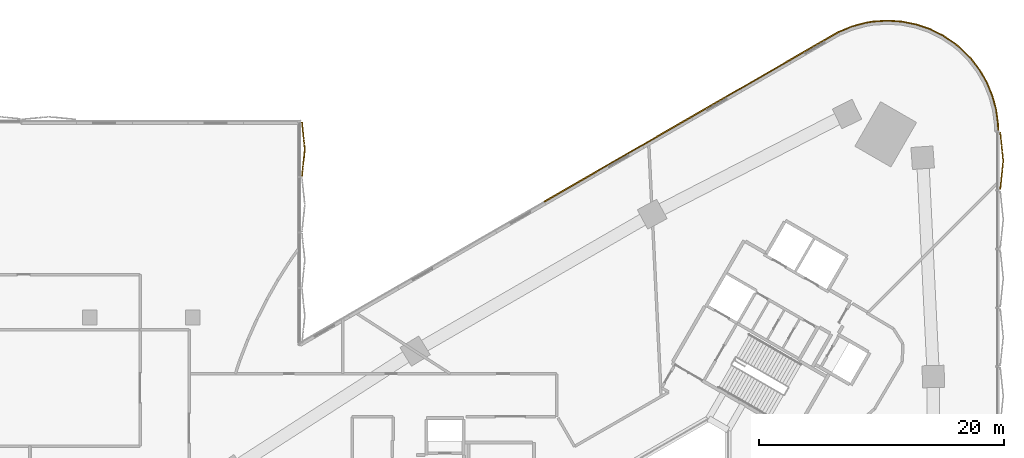
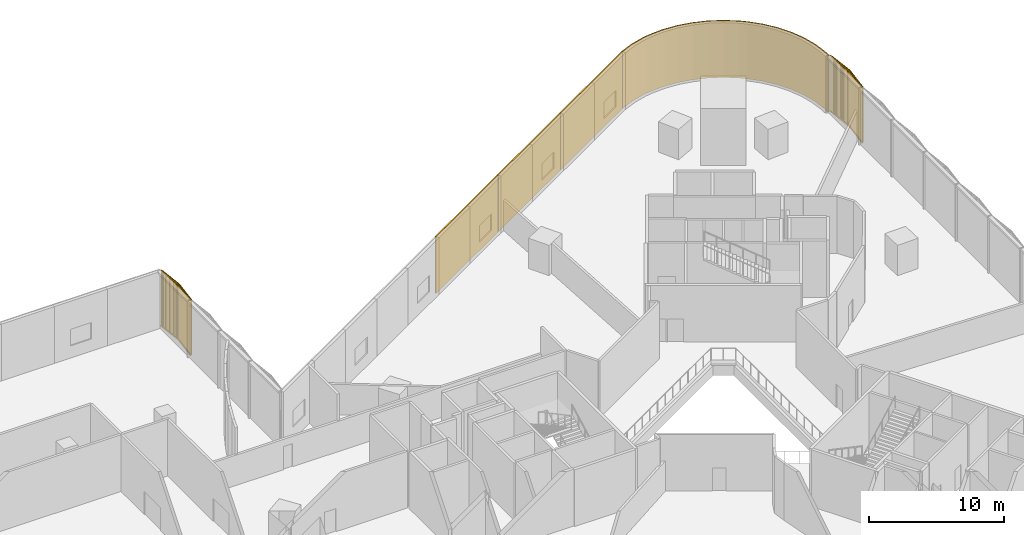
# One storey, part 31 of 31: 6 coverings.
"""IFC4 building model written with IfcOpenShell, lengths in metres."""

from ifc_helpers import new_model, si_unit, direction, frame, frame_2d, origin, origin_2d, place, context, subcontext, project, spatial, polyline, rectangle, outline, extrude, source, transform, mapped, material, layer, layer_set, type_object, element, save


model = new_model("IFC4")

# Units and contexts
model_context = context("Model", 3, precision=1e-05, world=origin(), true_north=direction((0.0, 1.0)))
body_context = subcontext(model_context, "Body", "Model", "MODEL_VIEW")
ifc_project = project(units=[si_unit("LENGTHUNIT", "METRE"), si_unit("AREAUNIT", "SQUARE_METRE"), si_unit("VOLUMEUNIT", "CUBIC_METRE"), si_unit("PLANEANGLEUNIT", "RADIAN"), si_unit("MASSUNIT", "GRAM", prefix="KILO")], contexts=[model_context])

# Site, building, storey
site_placement = place(None, origin())
site = spatial("IfcSite", under=ifc_project, at=site_placement, CompositionType="ELEMENT")
building_placement = place(site_placement, origin())
building = spatial("IfcBuilding", under=site, at=building_placement, Name="Tamra Quay Hotel Tower", CompositionType="ELEMENT")
storey_placement = place(building_placement, frame((0.0, 0.0, 14.0)))
storey = spatial("IfcBuildingStorey", under=building, at=storey_placement, Name="L02", CompositionType="ELEMENT", Elevation=14.0)

# Coverings
ifc_material_1 = material(Name="Precast concrete M60 terracotta-coloured pierced relief", Category="masonry")
ifc_layer = layer(ifc_material_1, 0.10009765625)
ifc_layer_set = layer_set([ifc_layer], Name="PIERCED RELIEF PANEL 100")
covering_type_1 = type_object("IfcCoveringType", Name="PIERCED RELIEF PANEL 100", PredefinedType="CLADDING", material=ifc_layer_set)
covering_1_placement = place(storey_placement, origin())
element("IfcCovering", 1, at=covering_1_placement, inside=storey, type_object=covering_type_1, Name="Relief panel L02.c2", PredefinedType="CLADDING", context=body_context, shape_type="SweptSolid", body=[
    extrude(outline(polyline([(27.0, 31.177001953125), (26.980712890625, 31.765625), (26.8271484375, 32.9326171875), (26.5224609375, 34.06982421875), (26.07177734375, 35.157470703125), (25.483154296875, 36.177001953125), (24.7666015625, 37.111083984375), (23.93408203125, 37.943359375), (23.478759765625, 38.317138671875), (22.5, 38.97119140625), (21.444091796875, 39.491943359375), (20.329345703125, 39.870361328125), (19.1748046875, 40.099853515625), (18.0, 40.177001953125), (16.8251953125, 40.099853515625), (16.244140625, 40.00390625), (15.10693359375, 39.69921875), (14.019287109375, 39.248779296875), (13.981201171875, 39.341064453125), (15.074951171875, 39.7939453125), (16.22314453125, 40.101806640625), (16.813720703125, 40.19921875), (18.0, 40.27685546875), (19.187744140625, 40.198974609375), (20.355224609375, 39.966796875), (21.482421875, 39.584228515625), (22.550048828125, 39.057861328125), (23.538330078125, 38.3974609375), (24.001220703125, 38.017578125), (24.841796875, 37.177001953125), (25.56640625, 36.232666015625), (26.16162109375, 35.20166015625), (26.616943359375, 34.10205078125), (26.925048828125, 32.9521484375), (27.080322265625, 31.773681640625), (27.099853515625, 31.18017578125), (27.0, 31.177001953125)])), origin(), (0.0, 0.0, 1.0), 5.14990234375),
])
for number, where, z_axis, x_axis, name in (
    (2, (9.99267578125, 36.983642578125, 0.0), (0.0, 0.0, 1.0), (-0.866214936261, -0.499671576337, 0.0), "Relief panel L02.NW.00"),
    (3, (1.989013671875, 32.366943359375, 0.0), (0.0, 0.0, 1.0), (-0.866214936261, -0.499671576337, 0.0), "Relief panel L02.NW.02"),
    (4, (-6.014404296875, 27.75, 0.0), (0.0, 0.0, 1.0), (-0.866214936261, -0.499671576337, 0.0), "Relief panel L02.NW.04"),
):
    element("IfcCovering", number, at=place(storey_placement, frame(where, z_axis=z_axis, x_axis=x_axis)), inside=storey, type_object=covering_type_1, Name=name, PredefinedType="CLADDING", context=body_context, shape_type="SweptSolid", body=[
        extrude(rectangle(XDim=9.2197265625, YDim=0.10009765625, at=origin_2d()), origin(), (0.0, 0.0, 1.0), 5.14990234375),
    ])
ifc_material_2 = material(Name="Terracotta baguette extruded", Category="masonry")
covering_type_2 = type_object("IfcCoveringType", Name="BAGUETTE SCREEN PODIUM-SHALLOW H5150", PredefinedType="USERDEFINED", material=ifc_material_2)
shared_shape_1 = source(origin(), body_context, "Body", "SweptSolid", [
    extrude(rectangle(XDim=2.234619140625, YDim=0.06005859375, at=frame_2d((1.1171875, 0.030029296875))), frame((-2.228759765625, -0.0576171875, -0.1201171875), z_axis=(0.0, 0.0, 1.0), x_axis=(0.994521895368, -0.104528463268, 0.0)), (0.0, 0.0, 1.0), 0.1201171875),
    extrude(rectangle(XDim=2.234619140625, YDim=0.06005859375, at=frame_2d((1.1171875, 0.030029296875))), frame((-2.228759765625, -0.0576171875, -5.14990234375), z_axis=(0.0, 0.0, 1.0), x_axis=(0.994521895368, -0.104528463268, 0.0)), (0.0, 0.0, 1.0), 0.1201171875),
    extrude(rectangle(XDim=0.094970703125, YDim=0.10009765625, at=frame_2d((0.04736328125, 0.050048828125))), frame((-2.219482421875, -0.13330078125, -5.090087890625)), (0.0, 0.0, 1.0), 5.030029296875),
    extrude(rectangle(XDim=0.094970703125, YDim=0.10009765625, at=frame_2d((0.04736328125, 0.050048828125))), frame((-2.118408203125, -0.14404296875, -5.090087890625)), (0.0, 0.0, 1.0), 5.030029296875),
    extrude(rectangle(XDim=0.094970703125, YDim=0.10009765625, at=frame_2d((0.04736328125, 0.050048828125))), frame((-2.017333984375, -0.154541015625, -5.090087890625)), (0.0, 0.0, 1.0), 5.030029296875),
    extrude(rectangle(XDim=0.094970703125, YDim=0.10009765625, at=frame_2d((0.04736328125, 0.050048828125))), frame((-1.91650390625, -0.1650390625, -5.090087890625)), (0.0, 0.0, 1.0), 5.030029296875),
    extrude(rectangle(XDim=0.094970703125, YDim=0.10009765625, at=frame_2d((0.04736328125, 0.050048828125))), frame((-1.8154296875, -0.17578125, -5.090087890625)), (0.0, 0.0, 1.0), 5.030029296875),
    extrude(rectangle(XDim=0.094970703125, YDim=0.10009765625, at=frame_2d((0.04736328125, 0.050048828125))), frame((-1.71435546875, -0.186279296875, -5.090087890625)), (0.0, 0.0, 1.0), 5.030029296875),
    extrude(rectangle(XDim=0.094970703125, YDim=0.10009765625, at=frame_2d((0.04736328125, 0.050048828125))), frame((-1.61328125, -0.197021484375, -5.090087890625)), (0.0, 0.0, 1.0), 5.030029296875),
    extrude(rectangle(XDim=0.094970703125, YDim=0.10009765625, at=frame_2d((0.04736328125, 0.050048828125))), frame((-1.512451171875, -0.20751953125, -5.090087890625)), (0.0, 0.0, 1.0), 5.030029296875),
    extrude(rectangle(XDim=0.094970703125, YDim=0.10009765625, at=frame_2d((0.04736328125, 0.050048828125))), frame((-1.411376953125, -0.21826171875, -5.090087890625)), (0.0, 0.0, 1.0), 5.030029296875),
    extrude(rectangle(XDim=0.094970703125, YDim=0.10009765625, at=frame_2d((0.04736328125, 0.050048828125))), frame((-1.310302734375, -0.228759765625, -5.090087890625)), (0.0, 0.0, 1.0), 5.030029296875),
    extrude(rectangle(XDim=0.094970703125, YDim=0.10009765625, at=frame_2d((0.04736328125, 0.050048828125))), frame((-1.209228515625, -0.239501953125, -5.090087890625)), (0.0, 0.0, 1.0), 5.030029296875),
    extrude(rectangle(XDim=0.094970703125, YDim=0.10009765625, at=frame_2d((0.04736328125, 0.050048828125))), frame((-1.108154296875, -0.25, -5.090087890625)), (0.0, 0.0, 1.0), 5.030029296875),
    extrude(rectangle(XDim=0.094970703125, YDim=0.10009765625, at=frame_2d((0.04736328125, 0.050048828125))), frame((-1.00732421875, -0.2607421875, -5.090087890625)), (0.0, 0.0, 1.0), 5.030029296875),
    extrude(rectangle(XDim=0.094970703125, YDim=0.10009765625, at=frame_2d((0.04736328125, 0.050048828125))), frame((-0.90625, -0.271240234375, -5.090087890625)), (0.0, 0.0, 1.0), 5.030029296875),
    extrude(rectangle(XDim=0.094970703125, YDim=0.10009765625, at=frame_2d((0.04736328125, 0.050048828125))), frame((-0.80517578125, -0.281982421875, -5.090087890625)), (0.0, 0.0, 1.0), 5.030029296875),
    extrude(rectangle(XDim=0.094970703125, YDim=0.10009765625, at=frame_2d((0.04736328125, 0.050048828125))), frame((-0.7041015625, -0.29248046875, -5.090087890625)), (0.0, 0.0, 1.0), 5.030029296875),
    extrude(rectangle(XDim=0.094970703125, YDim=0.10009765625, at=frame_2d((0.04736328125, 0.050048828125))), frame((-0.60302734375, -0.30322265625, -5.090087890625)), (0.0, 0.0, 1.0), 5.030029296875),
    extrude(rectangle(XDim=0.094970703125, YDim=0.10009765625, at=frame_2d((0.04736328125, 0.050048828125))), frame((-0.502197265625, -0.313720703125, -5.090087890625)), (0.0, 0.0, 1.0), 5.030029296875),
    extrude(rectangle(XDim=0.094970703125, YDim=0.10009765625, at=frame_2d((0.04736328125, 0.050048828125))), frame((-0.401123046875, -0.324462890625, -5.090087890625)), (0.0, 0.0, 1.0), 5.030029296875),
    extrude(rectangle(XDim=0.094970703125, YDim=0.10009765625, at=frame_2d((0.04736328125, 0.050048828125))), frame((-0.300048828125, -0.3349609375, -5.090087890625)), (0.0, 0.0, 1.0), 5.030029296875),
    extrude(rectangle(XDim=0.094970703125, YDim=0.10009765625, at=frame_2d((0.04736328125, 0.050048828125))), frame((-0.198974609375, -0.345703125, -5.090087890625)), (0.0, 0.0, 1.0), 5.030029296875),
    extrude(rectangle(XDim=0.094970703125, YDim=0.10009765625, at=frame_2d((0.04736328125, 0.050048828125))), frame((-0.097900390625, -0.356201171875, -5.090087890625)), (0.0, 0.0, 1.0), 5.030029296875),
    extrude(rectangle(XDim=2.234619140625, YDim=0.06005859375, at=frame_2d((1.1171875, 0.030029296875))), frame((0.00634765625, -0.291259765625, -0.1201171875), z_axis=(0.0, 0.0, 1.0), x_axis=(0.994521895368, 0.104528463268, 0.0)), (0.0, 0.0, 1.0), 0.1201171875),
    extrude(rectangle(XDim=2.234619140625, YDim=0.06005859375, at=frame_2d((1.1171875, 0.030029296875))), frame((0.00634765625, -0.291259765625, -5.14990234375), z_axis=(0.0, 0.0, 1.0), x_axis=(0.994521895368, 0.104528463268, 0.0)), (0.0, 0.0, 1.0), 0.1201171875),
    extrude(rectangle(XDim=0.094970703125, YDim=0.10009765625, at=frame_2d((0.04736328125, 0.050048828125))), frame((0.0029296875, -0.356201171875, -5.090087890625)), (0.0, 0.0, 1.0), 5.030029296875),
    extrude(rectangle(XDim=0.094970703125, YDim=0.10009765625, at=frame_2d((0.04736328125, 0.050048828125))), frame((0.10400390625, -0.345703125, -5.090087890625)), (0.0, 0.0, 1.0), 5.030029296875),
    extrude(rectangle(XDim=0.094970703125, YDim=0.10009765625, at=frame_2d((0.04736328125, 0.050048828125))), frame((0.205078125, -0.3349609375, -5.090087890625)), (0.0, 0.0, 1.0), 5.030029296875),
    extrude(rectangle(XDim=0.094970703125, YDim=0.10009765625, at=frame_2d((0.04736328125, 0.050048828125))), frame((0.30615234375, -0.324462890625, -5.090087890625)), (0.0, 0.0, 1.0), 5.030029296875),
    extrude(rectangle(XDim=0.094970703125, YDim=0.10009765625, at=frame_2d((0.04736328125, 0.050048828125))), frame((0.406982421875, -0.313720703125, -5.090087890625)), (0.0, 0.0, 1.0), 5.030029296875),
    extrude(rectangle(XDim=0.094970703125, YDim=0.10009765625, at=frame_2d((0.04736328125, 0.050048828125))), frame((0.508056640625, -0.30322265625, -5.090087890625)), (0.0, 0.0, 1.0), 5.030029296875),
    extrude(rectangle(XDim=0.094970703125, YDim=0.10009765625, at=frame_2d((0.04736328125, 0.050048828125))), frame((0.609130859375, -0.29248046875, -5.090087890625)), (0.0, 0.0, 1.0), 5.030029296875),
    extrude(rectangle(XDim=0.094970703125, YDim=0.10009765625, at=frame_2d((0.04736328125, 0.050048828125))), frame((0.710205078125, -0.281982421875, -5.090087890625)), (0.0, 0.0, 1.0), 5.030029296875),
    extrude(rectangle(XDim=0.094970703125, YDim=0.10009765625, at=frame_2d((0.04736328125, 0.050048828125))), frame((0.811279296875, -0.271240234375, -5.090087890625)), (0.0, 0.0, 1.0), 5.030029296875),
    extrude(rectangle(XDim=0.094970703125, YDim=0.10009765625, at=frame_2d((0.04736328125, 0.050048828125))), frame((0.912109375, -0.2607421875, -5.090087890625)), (0.0, 0.0, 1.0), 5.030029296875),
    extrude(rectangle(XDim=0.094970703125, YDim=0.10009765625, at=frame_2d((0.04736328125, 0.050048828125))), frame((1.01318359375, -0.25, -5.090087890625)), (0.0, 0.0, 1.0), 5.030029296875),
    extrude(rectangle(XDim=0.094970703125, YDim=0.10009765625, at=frame_2d((0.04736328125, 0.050048828125))), frame((1.1142578125, -0.239501953125, -5.090087890625)), (0.0, 0.0, 1.0), 5.030029296875),
    extrude(rectangle(XDim=0.094970703125, YDim=0.10009765625, at=frame_2d((0.04736328125, 0.050048828125))), frame((1.21533203125, -0.228759765625, -5.090087890625)), (0.0, 0.0, 1.0), 5.030029296875),
    extrude(rectangle(XDim=0.094970703125, YDim=0.10009765625, at=frame_2d((0.04736328125, 0.050048828125))), frame((1.31640625, -0.21826171875, -5.090087890625)), (0.0, 0.0, 1.0), 5.030029296875),
    extrude(rectangle(XDim=0.094970703125, YDim=0.10009765625, at=frame_2d((0.04736328125, 0.050048828125))), frame((1.417236328125, -0.20751953125, -5.090087890625)), (0.0, 0.0, 1.0), 5.030029296875),
    extrude(rectangle(XDim=0.094970703125, YDim=0.10009765625, at=frame_2d((0.04736328125, 0.050048828125))), frame((1.518310546875, -0.197021484375, -5.090087890625)), (0.0, 0.0, 1.0), 5.030029296875),
    extrude(rectangle(XDim=0.094970703125, YDim=0.10009765625, at=frame_2d((0.04736328125, 0.050048828125))), frame((1.619384765625, -0.186279296875, -5.090087890625)), (0.0, 0.0, 1.0), 5.030029296875),
    extrude(rectangle(XDim=0.094970703125, YDim=0.10009765625, at=frame_2d((0.04736328125, 0.050048828125))), frame((1.720458984375, -0.17578125, -5.090087890625)), (0.0, 0.0, 1.0), 5.030029296875),
    extrude(rectangle(XDim=0.094970703125, YDim=0.10009765625, at=frame_2d((0.04736328125, 0.050048828125))), frame((1.821533203125, -0.1650390625, -5.090087890625)), (0.0, 0.0, 1.0), 5.030029296875),
    extrude(rectangle(XDim=0.094970703125, YDim=0.10009765625, at=frame_2d((0.04736328125, 0.050048828125))), frame((1.92236328125, -0.154541015625, -5.090087890625)), (0.0, 0.0, 1.0), 5.030029296875),
    extrude(rectangle(XDim=0.094970703125, YDim=0.10009765625, at=frame_2d((0.04736328125, 0.050048828125))), frame((2.0234375, -0.14404296875, -5.090087890625)), (0.0, 0.0, 1.0), 5.030029296875),
    extrude(rectangle(XDim=0.094970703125, YDim=0.10009765625, at=frame_2d((0.04736328125, 0.050048828125))), frame((2.12451171875, -0.13330078125, -5.090087890625)), (0.0, 0.0, 1.0), 5.030029296875),
])
covering_2_placement = place(storey_placement, frame((-29.85205078125, 29.73193359375, 5.14990234375), z_axis=(0.0, 0.0, 1.0), x_axis=(0.0, 1.0, 0.0)))
element("IfcCovering", 5, at=covering_2_placement, inside=storey, type_object=covering_type_2, Name="Baguette screen L02.E.f20", ObjectType="BAGUETTE SCREEN", PredefinedType="USERDEFINED", context=body_context, shape_type="MappedRepresentation", body=[
    mapped(shared_shape_1, transform((0.0, 0.0, 0.0), scale=1.0)),
])
shared_shape_2 = source(origin(), body_context, "Body", "SweptSolid", [
    extrude(rectangle(XDim=2.365478515625, YDim=0.06005859375, at=frame_2d((1.1826171875, 0.030029296875))), frame((-2.35888671875, -0.0576171875, -0.1201171875), z_axis=(0.0, 0.0, 1.0), x_axis=(0.994521895368, -0.104528463268, 0.0)), (0.0, 0.0, 1.0), 0.1201171875),
    extrude(rectangle(XDim=2.365478515625, YDim=0.06005859375, at=frame_2d((1.1826171875, 0.030029296875))), frame((-2.35888671875, -0.0576171875, -5.14990234375), z_axis=(0.0, 0.0, 1.0), x_axis=(0.994521895368, -0.104528463268, 0.0)), (0.0, 0.0, 1.0), 0.1201171875),
    extrude(rectangle(XDim=0.094970703125, YDim=0.10009765625, at=frame_2d((0.04736328125, 0.050048828125))), frame((-2.35107421875, -0.133056640625, -5.090087890625)), (0.0, 0.0, 1.0), 5.030029296875),
    extrude(rectangle(XDim=0.094970703125, YDim=0.10009765625, at=frame_2d((0.04736328125, 0.050048828125))), frame((-2.2529296875, -0.1435546875, -5.090087890625)), (0.0, 0.0, 1.0), 5.030029296875),
    extrude(rectangle(XDim=0.094970703125, YDim=0.10009765625, at=frame_2d((0.04736328125, 0.050048828125))), frame((-2.155029296875, -0.15380859375, -5.090087890625)), (0.0, 0.0, 1.0), 5.030029296875),
    extrude(rectangle(XDim=0.094970703125, YDim=0.10009765625, at=frame_2d((0.04736328125, 0.050048828125))), frame((-2.056884765625, -0.1640625, -5.090087890625)), (0.0, 0.0, 1.0), 5.030029296875),
    extrude(rectangle(XDim=0.094970703125, YDim=0.10009765625, at=frame_2d((0.04736328125, 0.050048828125))), frame((-1.958984375, -0.17431640625, -5.090087890625)), (0.0, 0.0, 1.0), 5.030029296875),
    extrude(rectangle(XDim=0.094970703125, YDim=0.10009765625, at=frame_2d((0.04736328125, 0.050048828125))), frame((-1.86083984375, -0.1845703125, -5.090087890625)), (0.0, 0.0, 1.0), 5.030029296875),
    extrude(rectangle(XDim=0.094970703125, YDim=0.10009765625, at=frame_2d((0.04736328125, 0.050048828125))), frame((-1.762939453125, -0.195068359375, -5.090087890625)), (0.0, 0.0, 1.0), 5.030029296875),
    extrude(rectangle(XDim=0.094970703125, YDim=0.10009765625, at=frame_2d((0.04736328125, 0.050048828125))), frame((-1.664794921875, -0.205322265625, -5.090087890625)), (0.0, 0.0, 1.0), 5.030029296875),
    extrude(rectangle(XDim=0.094970703125, YDim=0.10009765625, at=frame_2d((0.04736328125, 0.050048828125))), frame((-1.56689453125, -0.215576171875, -5.090087890625)), (0.0, 0.0, 1.0), 5.030029296875),
    extrude(rectangle(XDim=0.094970703125, YDim=0.10009765625, at=frame_2d((0.04736328125, 0.050048828125))), frame((-1.46875, -0.225830078125, -5.090087890625)), (0.0, 0.0, 1.0), 5.030029296875),
    extrude(rectangle(XDim=0.094970703125, YDim=0.10009765625, at=frame_2d((0.04736328125, 0.050048828125))), frame((-1.370849609375, -0.236083984375, -5.090087890625)), (0.0, 0.0, 1.0), 5.030029296875),
    extrude(rectangle(XDim=0.094970703125, YDim=0.10009765625, at=frame_2d((0.04736328125, 0.050048828125))), frame((-1.272705078125, -0.24658203125, -5.090087890625)), (0.0, 0.0, 1.0), 5.030029296875),
    extrude(rectangle(XDim=0.094970703125, YDim=0.10009765625, at=frame_2d((0.04736328125, 0.050048828125))), frame((-1.1748046875, -0.2568359375, -5.090087890625)), (0.0, 0.0, 1.0), 5.030029296875),
    extrude(rectangle(XDim=0.094970703125, YDim=0.10009765625, at=frame_2d((0.04736328125, 0.050048828125))), frame((-1.07666015625, -0.26708984375, -5.090087890625)), (0.0, 0.0, 1.0), 5.030029296875),
    extrude(rectangle(XDim=0.094970703125, YDim=0.10009765625, at=frame_2d((0.04736328125, 0.050048828125))), frame((-0.978759765625, -0.27734375, -5.090087890625)), (0.0, 0.0, 1.0), 5.030029296875),
    extrude(rectangle(XDim=0.094970703125, YDim=0.10009765625, at=frame_2d((0.04736328125, 0.050048828125))), frame((-0.880615234375, -0.28759765625, -5.090087890625)), (0.0, 0.0, 1.0), 5.030029296875),
    extrude(rectangle(XDim=0.094970703125, YDim=0.10009765625, at=frame_2d((0.04736328125, 0.050048828125))), frame((-0.78271484375, -0.298095703125, -5.090087890625)), (0.0, 0.0, 1.0), 5.030029296875),
    extrude(rectangle(XDim=0.094970703125, YDim=0.10009765625, at=frame_2d((0.04736328125, 0.050048828125))), frame((-0.6845703125, -0.308349609375, -5.090087890625)), (0.0, 0.0, 1.0), 5.030029296875),
    extrude(rectangle(XDim=0.094970703125, YDim=0.10009765625, at=frame_2d((0.04736328125, 0.050048828125))), frame((-0.586669921875, -0.318603515625, -5.090087890625)), (0.0, 0.0, 1.0), 5.030029296875),
    extrude(rectangle(XDim=0.094970703125, YDim=0.10009765625, at=frame_2d((0.04736328125, 0.050048828125))), frame((-0.488525390625, -0.328857421875, -5.090087890625)), (0.0, 0.0, 1.0), 5.030029296875),
    extrude(rectangle(XDim=0.094970703125, YDim=0.10009765625, at=frame_2d((0.04736328125, 0.050048828125))), frame((-0.390625, -0.339111328125, -5.090087890625)), (0.0, 0.0, 1.0), 5.030029296875),
    extrude(rectangle(XDim=0.094970703125, YDim=0.10009765625, at=frame_2d((0.04736328125, 0.050048828125))), frame((-0.29248046875, -0.349609375, -5.090087890625)), (0.0, 0.0, 1.0), 5.030029296875),
    extrude(rectangle(XDim=0.094970703125, YDim=0.10009765625, at=frame_2d((0.04736328125, 0.050048828125))), frame((-0.194580078125, -0.35986328125, -5.090087890625)), (0.0, 0.0, 1.0), 5.030029296875),
    extrude(rectangle(XDim=0.094970703125, YDim=0.10009765625, at=frame_2d((0.04736328125, 0.050048828125))), frame((-0.096435546875, -0.3701171875, -5.090087890625)), (0.0, 0.0, 1.0), 5.030029296875),
    extrude(rectangle(XDim=2.365478515625, YDim=0.06005859375, at=frame_2d((1.1826171875, 0.030029296875))), frame((0.00634765625, -0.304931640625, -0.1201171875), z_axis=(0.0, 0.0, 1.0), x_axis=(0.994521895368, 0.104528463268, 0.0)), (0.0, 0.0, 1.0), 0.1201171875),
    extrude(rectangle(XDim=2.365478515625, YDim=0.06005859375, at=frame_2d((1.1826171875, 0.030029296875))), frame((0.00634765625, -0.304931640625, -5.14990234375), z_axis=(0.0, 0.0, 1.0), x_axis=(0.994521895368, 0.104528463268, 0.0)), (0.0, 0.0, 1.0), 0.1201171875),
    extrude(rectangle(XDim=0.094970703125, YDim=0.10009765625, at=frame_2d((0.04736328125, 0.050048828125))), frame((0.00146484375, -0.3701171875, -5.090087890625)), (0.0, 0.0, 1.0), 5.030029296875),
    extrude(rectangle(XDim=0.094970703125, YDim=0.10009765625, at=frame_2d((0.04736328125, 0.050048828125))), frame((0.099609375, -0.35986328125, -5.090087890625)), (0.0, 0.0, 1.0), 5.030029296875),
    extrude(rectangle(XDim=0.094970703125, YDim=0.10009765625, at=frame_2d((0.04736328125, 0.050048828125))), frame((0.197509765625, -0.349609375, -5.090087890625)), (0.0, 0.0, 1.0), 5.030029296875),
    extrude(rectangle(XDim=0.094970703125, YDim=0.10009765625, at=frame_2d((0.04736328125, 0.050048828125))), frame((0.295654296875, -0.339111328125, -5.090087890625)), (0.0, 0.0, 1.0), 5.030029296875),
    extrude(rectangle(XDim=0.094970703125, YDim=0.10009765625, at=frame_2d((0.04736328125, 0.050048828125))), frame((0.3935546875, -0.328857421875, -5.090087890625)), (0.0, 0.0, 1.0), 5.030029296875),
    extrude(rectangle(XDim=0.094970703125, YDim=0.10009765625, at=frame_2d((0.04736328125, 0.050048828125))), frame((0.49169921875, -0.318603515625, -5.090087890625)), (0.0, 0.0, 1.0), 5.030029296875),
    extrude(rectangle(XDim=0.094970703125, YDim=0.10009765625, at=frame_2d((0.04736328125, 0.050048828125))), frame((0.589599609375, -0.308349609375, -5.090087890625)), (0.0, 0.0, 1.0), 5.030029296875),
    extrude(rectangle(XDim=0.094970703125, YDim=0.10009765625, at=frame_2d((0.04736328125, 0.050048828125))), frame((0.687744140625, -0.298095703125, -5.090087890625)), (0.0, 0.0, 1.0), 5.030029296875),
    extrude(rectangle(XDim=0.094970703125, YDim=0.10009765625, at=frame_2d((0.04736328125, 0.050048828125))), frame((0.78564453125, -0.28759765625, -5.090087890625)), (0.0, 0.0, 1.0), 5.030029296875),
    extrude(rectangle(XDim=0.094970703125, YDim=0.10009765625, at=frame_2d((0.04736328125, 0.050048828125))), frame((0.8837890625, -0.27734375, -5.090087890625)), (0.0, 0.0, 1.0), 5.030029296875),
    extrude(rectangle(XDim=0.094970703125, YDim=0.10009765625, at=frame_2d((0.04736328125, 0.050048828125))), frame((0.981689453125, -0.26708984375, -5.090087890625)), (0.0, 0.0, 1.0), 5.030029296875),
    extrude(rectangle(XDim=0.094970703125, YDim=0.10009765625, at=frame_2d((0.04736328125, 0.050048828125))), frame((1.079833984375, -0.2568359375, -5.090087890625)), (0.0, 0.0, 1.0), 5.030029296875),
    extrude(rectangle(XDim=0.094970703125, YDim=0.10009765625, at=frame_2d((0.04736328125, 0.050048828125))), frame((1.177734375, -0.24658203125, -5.090087890625)), (0.0, 0.0, 1.0), 5.030029296875),
    extrude(rectangle(XDim=0.094970703125, YDim=0.10009765625, at=frame_2d((0.04736328125, 0.050048828125))), frame((1.27587890625, -0.236083984375, -5.090087890625)), (0.0, 0.0, 1.0), 5.030029296875),
    extrude(rectangle(XDim=0.094970703125, YDim=0.10009765625, at=frame_2d((0.04736328125, 0.050048828125))), frame((1.373779296875, -0.225830078125, -5.090087890625)), (0.0, 0.0, 1.0), 5.030029296875),
    extrude(rectangle(XDim=0.094970703125, YDim=0.10009765625, at=frame_2d((0.04736328125, 0.050048828125))), frame((1.471923828125, -0.215576171875, -5.090087890625)), (0.0, 0.0, 1.0), 5.030029296875),
    extrude(rectangle(XDim=0.094970703125, YDim=0.10009765625, at=frame_2d((0.04736328125, 0.050048828125))), frame((1.56982421875, -0.205322265625, -5.090087890625)), (0.0, 0.0, 1.0), 5.030029296875),
    extrude(rectangle(XDim=0.094970703125, YDim=0.10009765625, at=frame_2d((0.04736328125, 0.050048828125))), frame((1.66796875, -0.195068359375, -5.090087890625)), (0.0, 0.0, 1.0), 5.030029296875),
    extrude(rectangle(XDim=0.094970703125, YDim=0.10009765625, at=frame_2d((0.04736328125, 0.050048828125))), frame((1.765869140625, -0.1845703125, -5.090087890625)), (0.0, 0.0, 1.0), 5.030029296875),
    extrude(rectangle(XDim=0.094970703125, YDim=0.10009765625, at=frame_2d((0.04736328125, 0.050048828125))), frame((1.864013671875, -0.17431640625, -5.090087890625)), (0.0, 0.0, 1.0), 5.030029296875),
    extrude(rectangle(XDim=0.094970703125, YDim=0.10009765625, at=frame_2d((0.04736328125, 0.050048828125))), frame((1.9619140625, -0.1640625, -5.090087890625)), (0.0, 0.0, 1.0), 5.030029296875),
    extrude(rectangle(XDim=0.094970703125, YDim=0.10009765625, at=frame_2d((0.04736328125, 0.050048828125))), frame((2.06005859375, -0.15380859375, -5.090087890625)), (0.0, 0.0, 1.0), 5.030029296875),
    extrude(rectangle(XDim=0.094970703125, YDim=0.10009765625, at=frame_2d((0.04736328125, 0.050048828125))), frame((2.157958984375, -0.1435546875, -5.090087890625)), (0.0, 0.0, 1.0), 5.030029296875),
    extrude(rectangle(XDim=0.094970703125, YDim=0.10009765625, at=frame_2d((0.04736328125, 0.050048828125))), frame((2.256103515625, -0.133056640625, -5.090087890625)), (0.0, 0.0, 1.0), 5.030029296875),
])
covering_3_placement = place(storey_placement, frame((27.14794921875, 28.77880859375, 5.14990234375), z_axis=(0.0, 0.0, 1.0), x_axis=(0.0, 1.0, 0.0)))
element("IfcCovering", 6, at=covering_3_placement, inside=storey, type_object=covering_type_2, Name="Baguette screen L02.E.f16", ObjectType="BAGUETTE SCREEN", PredefinedType="USERDEFINED", context=body_context, shape_type="MappedRepresentation", body=[
    mapped(shared_shape_2, transform((0.0, 0.0, 0.0), scale=1.0)),
])

save(model, "model.ifc")
